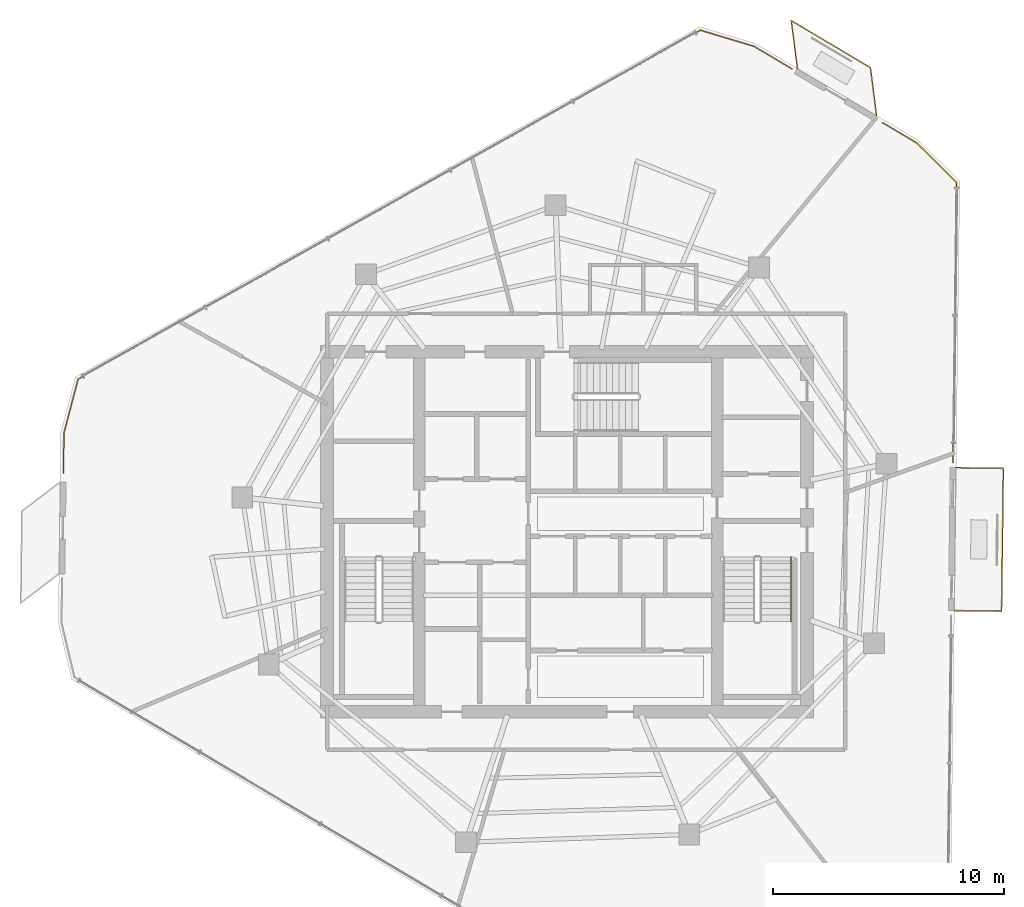
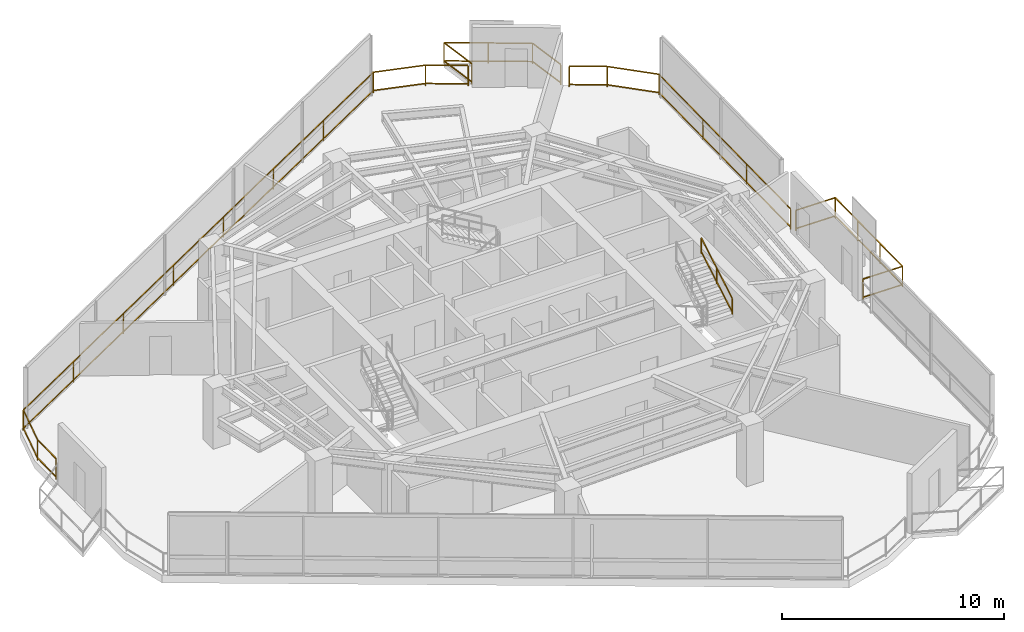
# One storey, part 18 of 18: 6 railings.
"""IFC4 building model written with IfcOpenShell, lengths in metres."""

from ifc_helpers import new_model, si_unit, direction, frame, origin, origin_2d, place, context, subcontext, project, spatial, rectangle, extrude, material, type_object, element, save


model = new_model("IFC4")

# Units and contexts
model_context = context("Model", 3, precision=1e-05, world=origin(), true_north=direction((0.0, 1.0)))
body_context = subcontext(model_context, "Body", "Model", "MODEL_VIEW")
ifc_project = project(units=[si_unit("LENGTHUNIT", "METRE"), si_unit("AREAUNIT", "SQUARE_METRE"), si_unit("VOLUMEUNIT", "CUBIC_METRE"), si_unit("PLANEANGLEUNIT", "RADIAN"), si_unit("MASSUNIT", "GRAM", prefix="KILO")], contexts=[model_context])

# Site, building, storey
site_placement = place(None, origin())
site = spatial("IfcSite", under=ifc_project, at=site_placement, CompositionType="ELEMENT")
building_placement = place(site_placement, origin())
building = spatial("IfcBuilding", under=site, at=building_placement, Name="Qarnah Convention Tower", CompositionType="ELEMENT")
storey_placement = place(building_placement, frame((0.0, 0.0, 177.0)))
storey = spatial("IfcBuildingStorey", under=building, at=storey_placement, Name="L47", CompositionType="ELEMENT", Elevation=177.0)

# Railings
ifc_material_1 = material(Name="Tempered Low-E dark glass", Category="glass")
railing_type_1 = type_object("IfcRailingType", Name="RL-BALUSTRADE-1150", PredefinedType="BALUSTRADE", material=ifc_material_1)
railing_1_placement = place(storey_placement, frame((54.06103515625, 29.174072265625, 0.0)))
element("IfcRailing", 1, at=railing_1_placement, inside=storey, type_object=railing_type_1, Name="L47 balcony safety guard SG-L47", PredefinedType="BALUSTRADE", context=body_context, shape_type="SweptSolid", body=[
    extrude(rectangle(XDim=0.048095703125, YDim=0.048095703125, at=origin_2d()), frame((0.0, 0.0, 1.1259765625), z_axis=(0.99991882237, -0.012741611765, 0.0), x_axis=(0.012741611765, 0.99991882237, 0.0)), (0.0, 0.0, 1.0), 2.05029296875),
    extrude(rectangle(XDim=0.048095703125, YDim=0.048095703125, at=origin_2d()), frame((0.0, 0.0, 0.1201171875), z_axis=(0.99991882237, -0.012741611765, 0.0), x_axis=(0.012741611765, 0.99991882237, 0.0)), (0.0, 0.0, 1.0), 2.05029296875),
    extrude(rectangle(XDim=0.048095703125, YDim=0.048095703125, at=origin_2d()), frame((2.050048828125, -0.026123046875, 1.1259765625), z_axis=(-0.012601890031, -0.999920593031, 0.0), x_axis=(0.999920593031, -0.012601890031, 0.0)), (0.0, 0.0, 1.0), 6.199462890625),
    extrude(rectangle(XDim=0.048095703125, YDim=0.048095703125, at=origin_2d()), frame((2.050048828125, -0.026123046875, 0.1201171875), z_axis=(-0.012601890031, -0.999920593031, 0.0), x_axis=(0.999920593031, -0.012601890031, 0.0)), (0.0, 0.0, 1.0), 6.199462890625),
    extrude(rectangle(XDim=0.048095703125, YDim=0.048095703125, at=origin_2d()), frame((1.971923828125, -6.22509765625, 1.1259765625), z_axis=(-0.99991882237, 0.012741611765, 0.0), x_axis=(-0.012741611765, -0.99991882237, 0.0)), (0.0, 0.0, 1.0), 2.05029296875),
    extrude(rectangle(XDim=0.048095703125, YDim=0.048095703125, at=origin_2d()), frame((1.971923828125, -6.22509765625, 0.1201171875), z_axis=(-0.99991882237, 0.012741611765, 0.0), x_axis=(-0.012741611765, -0.99991882237, 0.0)), (0.0, 0.0, 1.0), 2.05029296875),
    extrude(rectangle(XDim=0.0419921875, YDim=0.0419921875, at=origin_2d()), origin(), (0.0, 0.0, 1.0), 1.101806640625),
    extrude(rectangle(XDim=0.0419921875, YDim=0.0419921875, at=origin_2d()), frame((2.050048828125, -0.026123046875, 0.0)), (0.0, 0.0, 1.0), 1.101806640625),
    extrude(rectangle(XDim=0.0419921875, YDim=0.0419921875, at=origin_2d()), frame((2.02392578125, -2.092529296875, 0.0)), (0.0, 0.0, 1.0), 1.101806640625),
    extrude(rectangle(XDim=0.0419921875, YDim=0.0419921875, at=origin_2d()), frame((1.998046875, -4.15869140625, 0.0)), (0.0, 0.0, 1.0), 1.101806640625),
    extrude(rectangle(XDim=0.0419921875, YDim=0.0419921875, at=origin_2d()), frame((1.971923828125, -6.22509765625, 0.0)), (0.0, 0.0, 1.0), 1.101806640625),
    extrude(rectangle(XDim=0.0419921875, YDim=0.0419921875, at=origin_2d()), frame((-0.078125, -6.198974609375, 0.0)), (0.0, 0.0, 1.0), 1.101806640625),
])
ifc_material_2 = material(Name="Black anodised aluminium", Category="aluminium")
railing_type_2 = type_object("IfcRailingType", Name="RL-EXT-GUARD-1150", PredefinedType="GUARDRAIL", material=ifc_material_2)
railing_2_placement = place(storey_placement, frame((45.300048828125, 47.430908203125, 0.0)))
element("IfcRailing", 2, at=railing_2_placement, inside=storey, type_object=railing_type_2, Name="L47 slab-edge perimeter safety guard 01", PredefinedType="GUARDRAIL", context=body_context, shape_type="SweptSolid", body=[
    extrude(rectangle(XDim=0.048095703125, YDim=0.048095703125, at=origin_2d()), frame((0.0, 0.0, 1.1259765625), z_axis=(0.859794019229, -0.510641013333, 0.0), x_axis=(0.510641013333, 0.859794019229, 0.0)), (0.0, 0.0, 1.0), 1.9306640625),
    extrude(rectangle(XDim=0.048095703125, YDim=0.048095703125, at=origin_2d()), frame((0.0, 0.0, 0.1201171875), z_axis=(0.859794019229, -0.510641013333, 0.0), x_axis=(0.510641013333, 0.859794019229, 0.0)), (0.0, 0.0, 1.0), 1.9306640625),
    extrude(rectangle(XDim=0.0419921875, YDim=0.0419921875, at=origin_2d()), origin(), (0.0, 0.0, 1.0), 1.101806640625),
    extrude(rectangle(XDim=0.0419921875, YDim=0.0419921875, at=origin_2d()), frame((1.659912109375, -0.98583984375, 0.0)), (0.0, 0.0, 1.0), 1.101806640625),
])
railing_3_placement = place(storey_placement, frame((50.87890625, 44.116943359375, 0.0)))
element("IfcRailing", 3, at=railing_3_placement, inside=storey, type_object=railing_type_2, Name="L47 slab-edge perimeter safety guard 02", PredefinedType="GUARDRAIL", context=body_context, shape_type="SweptSolid", body=[
    extrude(rectangle(XDim=0.048095703125, YDim=0.048095703125, at=origin_2d()), frame((0.0, 0.0, 1.1259765625), z_axis=(0.859515659956, -0.511109411272, 0.0), x_axis=(0.511109411272, 0.859515659956, 0.0)), (0.0, 0.0, 1.0), 1.7197265625),
    extrude(rectangle(XDim=0.048095703125, YDim=0.048095703125, at=origin_2d()), frame((0.0, 0.0, 0.1201171875), z_axis=(0.859515659956, -0.511109411272, 0.0), x_axis=(0.511109411272, 0.859515659956, 0.0)), (0.0, 0.0, 1.0), 1.7197265625),
    extrude(rectangle(XDim=0.048095703125, YDim=0.048095703125, at=origin_2d()), frame((1.47802734375, -0.87890625, 1.1259765625), z_axis=(0.710420583346, -0.70377737585, 0.0), x_axis=(0.70377737585, 0.710420583346, 0.0)), (0.0, 0.0, 1.0), 2.425537109375),
    extrude(rectangle(XDim=0.048095703125, YDim=0.048095703125, at=origin_2d()), frame((1.47802734375, -0.87890625, 0.1201171875), z_axis=(0.710420583346, -0.70377737585, 0.0), x_axis=(0.70377737585, 0.710420583346, 0.0)), (0.0, 0.0, 1.0), 2.425537109375),
    extrude(rectangle(XDim=0.048095703125, YDim=0.048095703125, at=origin_2d()), frame((3.201171875, -2.5859375, 1.1259765625), z_axis=(-0.012532965882, -0.999921459299, 0.0), x_axis=(0.999921459299, -0.012532965882, 0.0)), (0.0, 0.0, 1.0), 12.135986328125),
    extrude(rectangle(XDim=0.048095703125, YDim=0.048095703125, at=origin_2d()), frame((3.201171875, -2.5859375, 0.1201171875), z_axis=(-0.012532965882, -0.999921459299, 0.0), x_axis=(0.999921459299, -0.012532965882, 0.0)), (0.0, 0.0, 1.0), 12.135986328125),
    extrude(rectangle(XDim=0.0419921875, YDim=0.0419921875, at=origin_2d()), origin(), (0.0, 0.0, 1.0), 1.101806640625),
    extrude(rectangle(XDim=0.0419921875, YDim=0.0419921875, at=origin_2d()), frame((1.47802734375, -0.87890625, 0.0)), (0.0, 0.0, 1.0), 1.101806640625),
    extrude(rectangle(XDim=0.0419921875, YDim=0.0419921875, at=origin_2d()), frame((3.201171875, -2.5859375, 0.0)), (0.0, 0.0, 1.0), 1.101806640625),
    extrude(rectangle(XDim=0.0419921875, YDim=0.0419921875, at=origin_2d()), frame((3.150390625, -6.630859375, 0.0)), (0.0, 0.0, 1.0), 1.101806640625),
    extrude(rectangle(XDim=0.0419921875, YDim=0.0419921875, at=origin_2d()), frame((3.099853515625, -10.676025390625, 0.0)), (0.0, 0.0, 1.0), 1.101806640625),
    extrude(rectangle(XDim=0.0419921875, YDim=0.0419921875, at=origin_2d()), frame((3.049072265625, -14.720947265625, 0.0)), (0.0, 0.0, 1.0), 1.101806640625),
])
railing_4_placement = place(storey_placement, frame((15.3759765625, 28.945068359375, 0.0)))
element("IfcRailing", 4, at=railing_4_placement, inside=storey, type_object=railing_type_2, Name="L47 slab-edge perimeter safety guard 05", PredefinedType="GUARDRAIL", context=body_context, shape_type="SweptSolid", body=[
    extrude(rectangle(XDim=0.048095703125, YDim=0.048095703125, at=origin_2d()), frame((0.0, 0.0, 1.1259765625), z_axis=(0.012781231147, 0.999918316729, 0.0), x_axis=(-0.999918316729, 0.012781231147, 0.0)), (0.0, 0.0, 1.0), 1.71923828125),
    extrude(rectangle(XDim=0.048095703125, YDim=0.048095703125, at=origin_2d()), frame((0.0, 0.0, 0.1201171875), z_axis=(0.012781231147, 0.999918316729, 0.0), x_axis=(-0.999918316729, 0.012781231147, 0.0)), (0.0, 0.0, 1.0), 1.71923828125),
    extrude(rectangle(XDim=0.048095703125, YDim=0.048095703125, at=origin_2d()), frame((0.02197265625, 1.718994140625, 1.1259765625), z_axis=(0.253958160294, 0.967215205019, 0.0), x_axis=(-0.967215205019, 0.253958160294, 0.0)), (0.0, 0.0, 1.0), 2.425537109375),
    extrude(rectangle(XDim=0.048095703125, YDim=0.048095703125, at=origin_2d()), frame((0.02197265625, 1.718994140625, 0.1201171875), z_axis=(0.253958160294, 0.967215205019, 0.0), x_axis=(-0.967215205019, 0.253958160294, 0.0)), (0.0, 0.0, 1.0), 2.425537109375),
    extrude(rectangle(XDim=0.048095703125, YDim=0.048095703125, at=origin_2d()), frame((0.637939453125, 4.06494140625, 1.1259765625), z_axis=(0.872243953848, 0.489071042872, 0.0), x_axis=(-0.489071042872, 0.872243953848, 0.0)), (0.0, 0.0, 1.0), 30.91357421875),
    extrude(rectangle(XDim=0.048095703125, YDim=0.048095703125, at=origin_2d()), frame((0.637939453125, 4.06494140625, 0.1201171875), z_axis=(0.872243953848, 0.489071042872, 0.0), x_axis=(-0.489071042872, 0.872243953848, 0.0)), (0.0, 0.0, 1.0), 30.91357421875),
    extrude(rectangle(XDim=0.048095703125, YDim=0.048095703125, at=origin_2d()), frame((27.60205078125, 19.183837890625, 1.1259765625), z_axis=(0.957668176359, -0.287874389256, 0.0), x_axis=(0.287874389256, 0.957668176359, 0.0)), (0.0, 0.0, 1.0), 2.424560546875),
    extrude(rectangle(XDim=0.048095703125, YDim=0.048095703125, at=origin_2d()), frame((27.60205078125, 19.183837890625, 0.1201171875), z_axis=(0.957668176359, -0.287874389256, 0.0), x_axis=(0.287874389256, 0.957668176359, 0.0)), (0.0, 0.0, 1.0), 2.424560546875),
    extrude(rectangle(XDim=0.0419921875, YDim=0.0419921875, at=origin_2d()), origin(), (0.0, 0.0, 1.0), 1.101806640625),
    extrude(rectangle(XDim=0.0419921875, YDim=0.0419921875, at=origin_2d()), frame((0.02197265625, 1.718994140625, 0.0)), (0.0, 0.0, 1.0), 1.101806640625),
    extrude(rectangle(XDim=0.0419921875, YDim=0.0419921875, at=origin_2d()), frame((0.637939453125, 4.06494140625, 0.0)), (0.0, 0.0, 1.0), 1.101806640625),
    extrude(rectangle(XDim=0.0419921875, YDim=0.0419921875, at=origin_2d()), frame((4.489990234375, 6.224853515625, 0.0)), (0.0, 0.0, 1.0), 1.101806640625),
    extrude(rectangle(XDim=0.0419921875, YDim=0.0419921875, at=origin_2d()), frame((8.342041015625, 8.384521484375, 0.0)), (0.0, 0.0, 1.0), 1.101806640625),
    extrude(rectangle(XDim=0.0419921875, YDim=0.0419921875, at=origin_2d()), frame((12.194091796875, 10.54443359375, 0.0)), (0.0, 0.0, 1.0), 1.101806640625),
    extrude(rectangle(XDim=0.0419921875, YDim=0.0419921875, at=origin_2d()), frame((16.0458984375, 12.704345703125, 0.0)), (0.0, 0.0, 1.0), 1.101806640625),
    extrude(rectangle(XDim=0.0419921875, YDim=0.0419921875, at=origin_2d()), frame((19.89794921875, 14.8642578125, 0.0)), (0.0, 0.0, 1.0), 1.101806640625),
    extrude(rectangle(XDim=0.0419921875, YDim=0.0419921875, at=origin_2d()), frame((23.75, 17.02392578125, 0.0)), (0.0, 0.0, 1.0), 1.101806640625),
    extrude(rectangle(XDim=0.0419921875, YDim=0.0419921875, at=origin_2d()), frame((27.60205078125, 19.183837890625, 0.0)), (0.0, 0.0, 1.0), 1.101806640625),
    extrude(rectangle(XDim=0.0419921875, YDim=0.0419921875, at=origin_2d()), frame((29.924072265625, 18.48583984375, 0.0)), (0.0, 0.0, 1.0), 1.101806640625),
])
railing_5_placement = place(storey_placement, frame((47.177978515625, 46.472900390625, 0.0)))
element("IfcRailing", 5, at=railing_5_placement, inside=storey, type_object=railing_type_2, Name="L47 balcony safety guard BAL-L47-C1", PredefinedType="GUARDRAIL", context=body_context, shape_type="SweptSolid", body=[
    extrude(rectangle(XDim=0.048095703125, YDim=0.048095703125, at=origin_2d()), frame((0.0, 0.0, 1.1259765625), z_axis=(-0.126502517696, 0.99196628623, 0.0), x_axis=(-0.99196628623, -0.126502517696, 0.0)), (0.0, 0.0, 1.0), 2.093994140625),
    extrude(rectangle(XDim=0.048095703125, YDim=0.048095703125, at=origin_2d()), frame((0.0, 0.0, 0.1201171875), z_axis=(-0.126502517696, 0.99196628623, 0.0), x_axis=(-0.99196628623, -0.126502517696, 0.0)), (0.0, 0.0, 1.0), 2.093994140625),
    extrude(rectangle(XDim=0.048095703125, YDim=0.048095703125, at=origin_2d()), frame((-0.264892578125, 2.0771484375, 1.1259765625), z_axis=(0.859628616713, -0.51091940786, 0.0), x_axis=(0.51091940786, 0.859628616713, 0.0)), (0.0, 0.0, 1.0), 4.00048828125),
    extrude(rectangle(XDim=0.048095703125, YDim=0.048095703125, at=origin_2d()), frame((-0.264892578125, 2.0771484375, 0.1201171875), z_axis=(0.859628616713, -0.51091940786, 0.0), x_axis=(0.51091940786, 0.859628616713, 0.0)), (0.0, 0.0, 1.0), 4.00048828125),
    extrude(rectangle(XDim=0.048095703125, YDim=0.048095703125, at=origin_2d()), frame((3.174072265625, 0.033203125, 1.1259765625), z_axis=(0.126502517696, -0.99196628623, 0.0), x_axis=(0.99196628623, 0.126502517696, 0.0)), (0.0, 0.0, 1.0), 2.093994140625),
    extrude(rectangle(XDim=0.048095703125, YDim=0.048095703125, at=origin_2d()), frame((3.174072265625, 0.033203125, 0.1201171875), z_axis=(0.126502517696, -0.99196628623, 0.0), x_axis=(0.99196628623, 0.126502517696, 0.0)), (0.0, 0.0, 1.0), 2.093994140625),
    extrude(rectangle(XDim=0.0419921875, YDim=0.0419921875, at=origin_2d()), origin(), (0.0, 0.0, 1.0), 1.101806640625),
    extrude(rectangle(XDim=0.0419921875, YDim=0.0419921875, at=origin_2d()), frame((-0.264892578125, 2.0771484375, 0.0)), (0.0, 0.0, 1.0), 1.101806640625),
    extrude(rectangle(XDim=0.0419921875, YDim=0.0419921875, at=origin_2d()), frame((1.45458984375, 1.05517578125, 0.0)), (0.0, 0.0, 1.0), 1.101806640625),
    extrude(rectangle(XDim=0.0419921875, YDim=0.0419921875, at=origin_2d()), frame((3.174072265625, 0.033203125, 0.0)), (0.0, 0.0, 1.0), 1.101806640625),
    extrude(rectangle(XDim=0.0419921875, YDim=0.0419921875, at=origin_2d()), frame((3.43896484375, -2.0439453125, 0.0)), (0.0, 0.0, 1.0), 1.101806640625),
])
ifc_material_3 = material(Name="Structural steel S355JR", Category="steel")
railing_type_3 = type_object("IfcRailingType", Name="RL-STAIR-HAND-900", PredefinedType="HANDRAIL", material=ifc_material_3)
railing_6_placement = place(storey_placement, frame((46.89990234375, 22.5, 1.963623046875)))
element("IfcRailing", 6, at=railing_6_placement, inside=storey, type_object=railing_type_3, Name="L47 ST-2 stair handrail 2", PredefinedType="HANDRAIL", context=body_context, shape_type="SweptSolid", body=[
    extrude(rectangle(XDim=0.048095703125, YDim=0.048095703125, at=origin_2d()), frame((0.0, 0.0, 0.8759765625), z_axis=(0.0, 0.863360870873, 0.504586966384), x_axis=(-1.0, 0.0, 0.0)), (0.0, 0.0, 1.0), 3.2431640625),
    extrude(rectangle(XDim=0.048095703125, YDim=0.048095703125, at=origin_2d()), frame((0.0, 0.0, 0.1201171875), z_axis=(0.0, 0.863360870873, 0.504586966384), x_axis=(-1.0, 0.0, 0.0)), (0.0, 0.0, 1.0), 3.2431640625),
    extrude(rectangle(XDim=0.0419921875, YDim=0.0419921875, at=origin_2d()), origin(), (0.0, 0.0, 1.0), 0.851806640625),
    extrude(rectangle(XDim=0.0419921875, YDim=0.0419921875, at=origin_2d()), frame((0.0, 1.39990234375, 0.818359375)), (0.0, 0.0, 1.0), 0.851806640625),
    extrude(rectangle(XDim=0.0419921875, YDim=0.0419921875, at=origin_2d()), frame((0.0, 2.800048828125, 1.636474609375)), (0.0, 0.0, 1.0), 0.851806640625),
])

save(model, "model.ifc")
